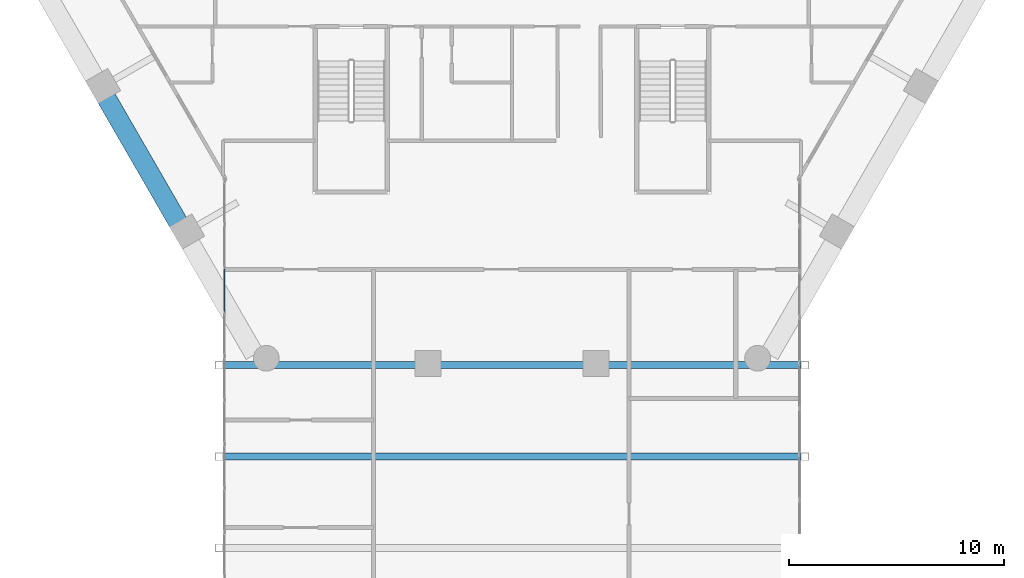
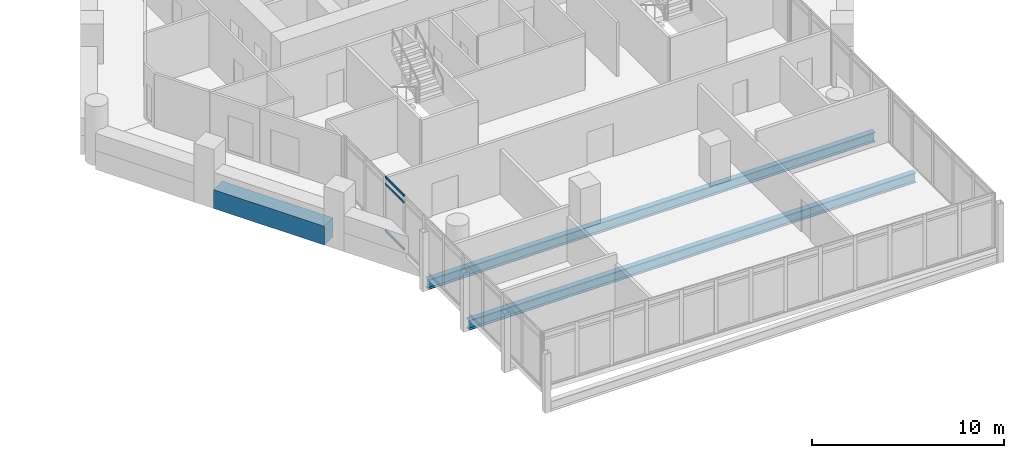
# One storey, part 8 of 28: 3 beams, 3 members, 1 element without a shape of its own.
"""IFC4 building model written with IfcOpenShell, lengths in metres."""

from ifc_helpers import new_model, si_unit, direction, frame, origin, origin_2d, place, context, subcontext, project, spatial, rectangle, hollow_rectangle, i_section, extrude, material, material_profile, profile_set, type_object, element, aggregate, save


model = new_model("IFC4")

# Units and contexts
model_context = context("Model", 3, precision=1e-05, world=origin(), true_north=direction((0.0, 1.0)))
body_context = subcontext(model_context, "Body", "Model", "MODEL_VIEW")
ifc_project = project(units=[si_unit("LENGTHUNIT", "METRE"), si_unit("AREAUNIT", "SQUARE_METRE"), si_unit("VOLUMEUNIT", "CUBIC_METRE"), si_unit("PLANEANGLEUNIT", "RADIAN"), si_unit("MASSUNIT", "GRAM", prefix="KILO")], contexts=[model_context])

# Site, building, storey
site_placement = place(None, origin())
site = spatial("IfcSite", under=ifc_project, at=site_placement, CompositionType="ELEMENT")
building_placement = place(site_placement, origin())
building = spatial("IfcBuilding", under=site, at=building_placement, Name="Ostrander Bayou Hotel Tower", CompositionType="ELEMENT")
storey_placement = place(building_placement, frame((0.0, 0.0, 100.5)))
storey = spatial("IfcBuildingStorey", under=building, at=storey_placement, Name="L25", CompositionType="ELEMENT", Elevation=100.5)

# Curtain wall, members
ifc_material_1 = material(Name="Aluminium and clear glass", Category="aluminium")
curtain_wall_type = type_object("IfcCurtainWallType", Name="CW-BAR glazed wall", PredefinedType="NOTDEFINED", material=ifc_material_1)
curtain_wall_placement = place(storey_placement, origin())
curtain_wall = element("IfcCurtainWall", 1, at=curtain_wall_placement, inside=storey, type_object=curtain_wall_type, Name="CW-BAR L25:SB2S:E", PredefinedType="NOTDEFINED")
ifc_material_2 = material(Name="Aluminium", Category="aluminium")
ifc_material_profile_1 = material_profile(ifc_material_2, hollow_rectangle(XDim=0.06005859375, YDim=0.1298828125, WallThickness=0.00390625, at=origin_2d()))
ifc_profile_set_1 = profile_set([ifc_material_profile_1], Name="Aluminium")
member_type = type_object("IfcMemberType", Name="CW-BR transom 60 x 130 mm", PredefinedType="USERDEFINED", material=ifc_profile_set_1)
member_1_placement = place(storey_placement, frame((-13.3671875, -14.96826171875, 0.030029296875), z_axis=(0.0, -1.0, 0.0), x_axis=(1.0, 0.0, 0.0)))
member_1 = element("IfcMember", 2, at=member_1_placement, type_object=member_type, Name="CW-BAR transom 3.1", ObjectType="TRANSOM", PredefinedType="USERDEFINED", context=body_context, shape_type="SweptSolid", body=[
    extrude(hollow_rectangle(XDim=0.06005859375, YDim=0.1298828125, WallThickness=0.00390625, at=origin_2d()), origin(), (0.0, 0.0, 1.0), 1.985595703125),
])
member_2_placement = place(storey_placement, frame((-13.3671875, -14.96826171875, 3.0), z_axis=(0.0, -1.0, 0.0), x_axis=(1.0, 0.0, 0.0)))
member_2 = element("IfcMember", 3, at=member_2_placement, type_object=member_type, Name="CW-BAR transom 3.2", ObjectType="TRANSOM", PredefinedType="USERDEFINED", context=body_context, shape_type="SweptSolid", body=[
    extrude(hollow_rectangle(XDim=0.06005859375, YDim=0.1298828125, WallThickness=0.00390625, at=origin_2d()), origin(), (0.0, 0.0, 1.0), 1.985595703125),
])
member_3_placement = place(storey_placement, frame((-13.3671875, -14.96826171875, 3.419921875), z_axis=(0.0, -1.0, 0.0), x_axis=(1.0, 0.0, 0.0)))
member_3 = element("IfcMember", 4, at=member_3_placement, type_object=member_type, Name="CW-BAR transom 3.3", ObjectType="TRANSOM", PredefinedType="USERDEFINED", context=body_context, shape_type="SweptSolid", body=[
    extrude(hollow_rectangle(XDim=0.06005859375, YDim=0.1298828125, WallThickness=0.00390625, at=origin_2d()), origin(), (0.0, 0.0, 1.0), 1.985595703125),
])
aggregate(curtain_wall, [member_1, member_2, member_3])

# Beams
ifc_material_3 = material(Name="Concrete f'c 70 MPa", Category="concrete")
ifc_material_profile_2 = material_profile(ifc_material_3, rectangle(XDim=0.89990234375, YDim=1.199951171875, at=origin_2d()))
ifc_profile_set_2 = profile_set([ifc_material_profile_2], Name="Concrete f'c 70 MPa")
beam_type_1 = type_object("IfcBeamType", Name="SP2 spandrel beam 900 x 1200 mm f'c 70 MPa", PredefinedType="SPANDREL", material=ifc_profile_set_2)
beam_placement = place(storey_placement, frame((-18.85888671875, -7.035400390625, -0.60009765625), z_axis=(0.499999023957, -0.866025967302, 0.0), x_axis=(0.866025967302, 0.499999023957, 0.0)))
element("IfcBeam", 5, at=beam_placement, inside=storey, type_object=beam_type_1, Name="SP2 L25 SW-2", PredefinedType="SPANDREL", context=body_context, shape_type="SweptSolid", body=[
    extrude(rectangle(XDim=0.89990234375, YDim=1.199951171875, at=origin_2d()), origin(), (0.0, 0.0, 1.0), 6.67333984375),
])
ifc_material_4 = material(Name="Steel ASTM A992", Category="steel")
ifc_material_profile_3 = material_profile(ifc_material_4, i_section(OverallWidth=0.32763671875, OverallDepth=0.621826171875, WebThickness=0.015380859375, FlangeThickness=0.0244140625, at=origin_2d()))
ifc_profile_set_3 = profile_set([ifc_material_profile_3], Name="Steel ASTM A992")
beam_type_2 = type_object("IfcBeamType", Name="TF1 bar floor beam W24x131", PredefinedType="BEAM", material=ifc_profile_set_3)
for number, where, z_axis, x_axis, name in (
    (6, (-13.442138671875, -19.450927734375, -0.61083984375), (1.0, 0.0, 0.0), (0.0, 1.0, 0.0), "TF1 SB2S L3-1"),
    (7, (-13.442138671875, -23.70068359375, -0.61083984375), (1.0, 0.0, 0.0), (0.0, 1.0, 0.0), "TF1 SB2S L3-2"),
):
    element("IfcBeam", number, at=place(storey_placement, frame(where, z_axis=z_axis, x_axis=x_axis)), inside=storey, type_object=beam_type_2, Name=name, PredefinedType="BEAM", context=body_context, shape_type="SweptSolid", body=[
        extrude(i_section(OverallWidth=0.32763671875, OverallDepth=0.621826171875, WebThickness=0.015380859375, FlangeThickness=0.0244140625, at=origin_2d()), origin(), (0.0, 0.0, 1.0), 26.88427734375),
    ])

save(model, "model.ifc")
